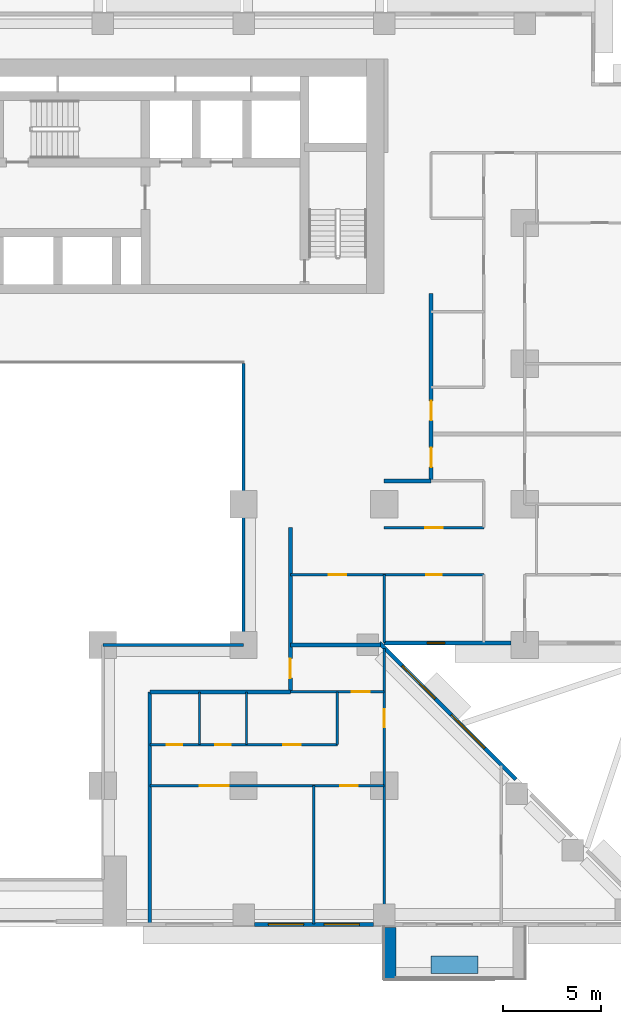
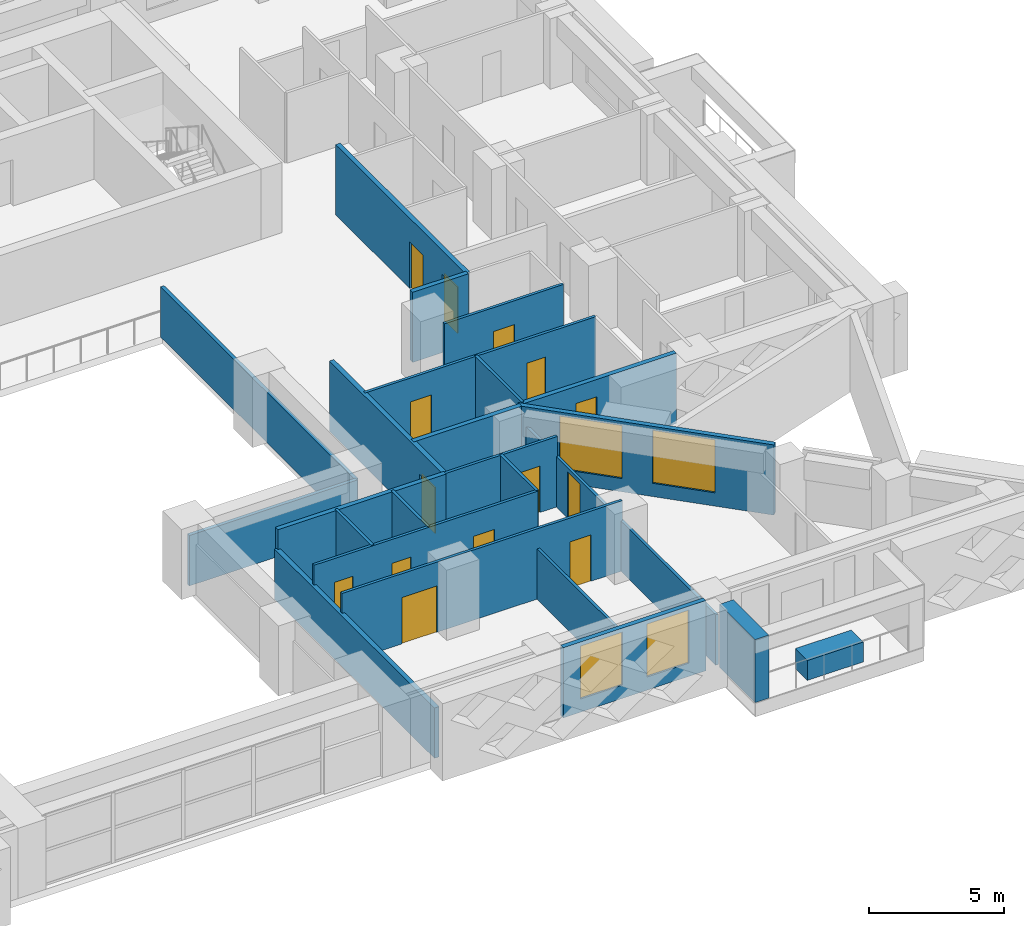
# One storey, part 8 of 17: 24 walls, 13 doors, 5 windows, 18 openings.
"""IFC4 building model written with IfcOpenShell, lengths in metres."""

from ifc_helpers import new_model, si_unit, direction, frame, frame_2d, origin, place, context, subcontext, project, spatial, rectangle, extrude, material, layer, layer_set, type_object, element, fill, save


model = new_model("IFC4")

# Units and contexts
model_context = context("Model", 3, precision=1e-05, world=origin(), true_north=direction((0.0, 1.0)))
body_context = subcontext(model_context, "Body", "Model", "MODEL_VIEW")
ifc_project = project(units=[si_unit("LENGTHUNIT", "METRE"), si_unit("AREAUNIT", "SQUARE_METRE"), si_unit("VOLUMEUNIT", "CUBIC_METRE"), si_unit("PLANEANGLEUNIT", "RADIAN"), si_unit("MASSUNIT", "GRAM", prefix="KILO")], contexts=[model_context])

# Site, building, storey
site_placement = place(None, origin())
site = spatial("IfcSite", under=ifc_project, at=site_placement, CompositionType="ELEMENT")
building_placement = place(site_placement, origin())
building = spatial("IfcBuilding", under=site, at=building_placement, Name="Saffron Iwan Residences", CompositionType="ELEMENT")
storey_placement = place(building_placement, frame((0.0, 0.0, 55.0)))
storey = spatial("IfcBuildingStorey", under=building, at=storey_placement, Name="L13", CompositionType="ELEMENT", Elevation=55.0)

# Walls
ifc_material_1 = material(Name="Fire-rated glazing", Category="glass")
ifc_layer_1 = layer(ifc_material_1, 0.14990234375)
ifc_layer_set_1 = layer_set([ifc_layer_1], Name="Fire-rated glazing")
wall_type_1 = type_object("IfcWallType", Name="Atrium glazed screen 150", PredefinedType="SOLIDWALL", material=ifc_layer_set_1)
wall_1_placement = place(storey_placement, frame((57.60009765625, 48.0, 0.0), z_axis=(0.0, 0.0, 1.0), x_axis=(1.0, 0.0, 0.0)))
element("IfcWall", 1, at=wall_1_placement, inside=storey, type_object=wall_type_1, Name="W-L13-SCREEN-h48-57.6", PredefinedType="SOLIDWALL", context=body_context, shape_type="SweptSolid", body=[
    extrude(rectangle(XDim=7.199951171875, YDim=0.14990234375, at=frame_2d((3.60009765625, 0.0))), origin(), (0.0, 0.0, 1.0), 2.280029296875),
])
wall_2_placement = place(storey_placement, frame((64.800048828125, 48.0, 0.0), z_axis=(0.0, 0.0, 1.0), x_axis=(0.0, 1.0, 0.0)))
element("IfcWall", 2, at=wall_2_placement, inside=storey, type_object=wall_type_1, Name="W-L13-SCREEN-v64.8-48", PredefinedType="SOLIDWALL", context=body_context, shape_type="SweptSolid", body=[
    extrude(rectangle(XDim=14.39990234375, YDim=0.14990234375, at=frame_2d((7.199951171875, 0.0))), origin(), (0.0, 0.0, 1.0), 2.280029296875),
])
ifc_material_2 = material(Name="Concrete C50/60 white painted", Category="concrete")
ifc_layer_2 = layer(ifc_material_2, 0.60009765625)
ifc_layer_set_2 = layer_set([ifc_layer_2], Name="Concrete C50/60 white painted")
wall_type_2 = type_object("IfcWallType", Name="BALCONY FIN 600", PredefinedType="SOLIDWALL", material=ifc_layer_set_2)
wall_3_placement = place(storey_placement, frame((72.300048828125, 33.550048828125, 0.0), z_axis=(0.0, 0.0, 1.0), x_axis=(0.0, -1.0, 0.0)))
element("IfcWall", 3, at=wall_3_placement, inside=storey, type_object=wall_type_2, Name="Balcony fin L13 11-1a", PredefinedType="SOLIDWALL", context=body_context, shape_type="SweptSolid", body=[
    extrude(rectangle(XDim=2.650146484375, YDim=0.60009765625, at=frame_2d((1.3251953125, 0.0))), origin(), (0.0, 0.0, 1.0), 2.85009765625),
])
ifc_material_3 = material(Name="Concrete C35/45 white painted", Category="concrete")
ifc_layer_3 = layer(ifc_material_3, 0.14990234375)
ifc_layer_set_3 = layer_set([ifc_layer_3], Name="Concrete C35/45 white painted")
wall_type_3 = type_object("IfcWallType", Name="BALCONY PLANTER", PredefinedType="SOLIDWALL", material=ifc_layer_set_3)
wall_4_placement = place(storey_placement, frame((74.39990234375, 31.625, 0.0), z_axis=(0.0, 0.0, 1.0), x_axis=(1.0, 0.0, 0.0)))
element("IfcWall", 4, at=wall_4_placement, inside=storey, type_object=wall_type_3, Name="PLANTER L13 11-1", PredefinedType="SOLIDWALL", context=body_context, shape_type="SweptSolid", body=[
    extrude(rectangle(XDim=2.400146484375, YDim=0.89990234375, at=frame_2d((1.2001953125, 0.0))), origin(), (0.0, 0.0, 1.0), 0.89990234375),
])

# Wall, openings, windows
ifc_material_4 = material(Name="Concrete C40/50", Category="concrete")
ifc_layer_4 = layer(ifc_material_4, 0.199951171875)
ifc_layer_set_4 = layer_set([ifc_layer_4], Name="Concrete C40/50")
wall_type_4 = type_object("IfcWallType", Name="EXTERNAL WALL 200", PredefinedType="SOLIDWALL", material=ifc_layer_set_4)
wall_5_placement = place(storey_placement, frame((78.740478515625, 41.1181640625, 0.0), z_axis=(0.0, 0.0, 1.0), x_axis=(-0.707106781187, 0.707106781187, 0.0)))
wall_5 = element("IfcWall", 5, at=wall_5_placement, inside=storey, type_object=wall_type_4, Name="External wall L13 F0.2", PredefinedType="SOLIDWALL", context=body_context, shape_type="SweptSolid", body=[
    extrude(rectangle(XDim=9.8740234375, YDim=0.199951171875, at=frame_2d((4.93701171875, 0.0))), origin(), (0.0, 0.0, 1.0), 3.179931640625),
])
opening_1_placement = place(wall_5_placement, frame((2.263671875, 0.0, 0.60009765625)))
opening_1 = element("IfcOpeningElement", 6, at=opening_1_placement, cuts=wall_5, Name="Opening W1", PredefinedType="OPENING", context=body_context, shape_type="SweptSolid", body=[
    extrude(rectangle(XDim=2.39990234375, YDim=2.39990234375, at=frame_2d((1.199951171875, 1.199951171875))), frame((0.0, 0.10986328125, 0.0), z_axis=(0.0, -1.0, 0.0), x_axis=(1.0, 0.0, 0.0)), (0.0, 0.0, 1.0), 0.219970703125),
])
opening_2_placement = place(wall_5_placement, frame((5.835693359375, 0.0, 0.60009765625)))
opening_2 = element("IfcOpeningElement", 7, at=opening_2_placement, cuts=wall_5, Name="Opening W1", PredefinedType="OPENING", context=body_context, shape_type="SweptSolid", body=[
    extrude(rectangle(XDim=2.39990234375, YDim=2.39990234375, at=frame_2d((1.199951171875, 1.199951171875))), frame((0.0, 0.10986328125, 0.0), z_axis=(0.0, -1.0, 0.0), x_axis=(1.0, 0.0, 0.0)), (0.0, 0.0, 1.0), 0.219970703125),
])
ifc_material_5 = material(Name="Clear glass, laminated double glazed", Category="glass")
window_type_1 = type_object("IfcWindowType", Name="WINDOW 2400 x 2400", PartitioningType="DOUBLE_PANEL_VERTICAL", PredefinedType="WINDOW", material=ifc_material_5)
window_1_placement = place(opening_1_placement, origin())
window_1 = element("IfcWindow", 8, at=window_1_placement, inside=storey, type_object=window_type_1, Name="Window L13 F0.0", OverallHeight=2.39990234375, OverallWidth=2.39990234375, PartitioningType="DOUBLE_PANEL_VERTICAL", PredefinedType="WINDOW", context=body_context, shape_type="SweptSolid", body=[
    extrude(rectangle(XDim=2.39990234375, YDim=2.39990234375, at=frame_2d((1.199951171875, 1.199951171875))), frame((0.0, 0.030029296875, 0.0), z_axis=(0.0, -1.0, 0.0), x_axis=(1.0, 0.0, 0.0)), (0.0, 0.0, 1.0), 0.06005859375),
])
fill(opening_1, window_1)
window_2_placement = place(opening_2_placement, origin())
window_2 = element("IfcWindow", 9, at=window_2_placement, inside=storey, type_object=window_type_1, Name="Window L13 F0.1", OverallHeight=2.39990234375, OverallWidth=2.39990234375, PartitioningType="DOUBLE_PANEL_VERTICAL", PredefinedType="WINDOW", context=body_context, shape_type="SweptSolid", body=[
    extrude(rectangle(XDim=2.39990234375, YDim=2.39990234375, at=frame_2d((1.199951171875, 1.199951171875))), frame((0.0, 0.030029296875, 0.0), z_axis=(0.0, -1.0, 0.0), x_axis=(1.0, 0.0, 0.0)), (0.0, 0.0, 1.0), 0.06005859375),
])
fill(opening_2, window_2)

# Wall, opening, window
wall_6_placement = place(storey_placement, frame((71.988525390625, 48.10009765625, 0.0), z_axis=(0.0, 0.0, 1.0), x_axis=(1.0, 0.0, 0.0)))
wall_6 = element("IfcWall", 10, at=wall_6_placement, inside=storey, type_object=wall_type_4, Name="External wall L13 F1.0", PredefinedType="SOLIDWALL", context=body_context, shape_type="SweptSolid", body=[
    extrude(rectangle(XDim=6.511474609375, YDim=0.199951171875, at=frame_2d((3.255859375, 0.0))), origin(), (0.0, 0.0, 1.0), 3.179931640625),
])
opening_3_placement = place(wall_6_placement, frame((2.205810546875, 0.0, 1.5)))
opening_3 = element("IfcOpeningElement", 11, at=opening_3_placement, cuts=wall_6, Name="Opening W6", PredefinedType="OPENING", context=body_context, shape_type="SweptSolid", body=[
    extrude(rectangle(XDim=0.89990234375, YDim=0.89990234375, at=frame_2d((0.449951171875, 0.449951171875))), frame((0.0, 0.10986328125, 0.0), z_axis=(0.0, -1.0, 0.0), x_axis=(1.0, 0.0, 0.0)), (0.0, 0.0, 1.0), 0.219970703125),
])
window_type_2 = type_object("IfcWindowType", Name="WINDOW 900 x 900 BATH", PartitioningType="SINGLE_PANEL", PredefinedType="WINDOW", material=ifc_material_5)
window_3_placement = place(opening_3_placement, origin())
window_3 = element("IfcWindow", 12, at=window_3_placement, inside=storey, type_object=window_type_2, Name="Window L13 F1.0", OverallHeight=0.89990234375, OverallWidth=0.89990234375, PartitioningType="SINGLE_PANEL", PredefinedType="WINDOW", context=body_context, shape_type="SweptSolid", body=[
    extrude(rectangle(XDim=0.89990234375, YDim=0.89990234375, at=frame_2d((0.449951171875, 0.449951171875))), frame((0.0, 0.030029296875, 0.0), z_axis=(0.0, -1.0, 0.0), x_axis=(1.0, 0.0, 0.0)), (0.0, 0.0, 1.0), 0.06005859375),
])
fill(opening_3, window_3)

# Wall, openings, windows
wall_7_placement = place(storey_placement, frame((65.35009765625, 33.699951171875, 0.0), z_axis=(0.0, 0.0, 1.0), x_axis=(1.0, 0.0, 0.0)))
wall_7 = element("IfcWall", 13, at=wall_7_placement, inside=storey, type_object=wall_type_4, Name="External wall L13 F11.5", PredefinedType="SOLIDWALL", context=body_context, shape_type="SweptSolid", body=[
    extrude(rectangle(XDim=6.099853515625, YDim=0.199951171875, at=frame_2d((3.0498046875, 0.0))), origin(), (0.0, 0.0, 1.0), 3.179931640625),
])
opening_4_placement = place(wall_7_placement, frame((3.574951171875, 0.0, 0.60009765625)))
opening_4 = element("IfcOpeningElement", 14, at=opening_4_placement, cuts=wall_7, Name="Opening W8", PredefinedType="OPENING", context=body_context, shape_type="SweptSolid", body=[
    extrude(rectangle(XDim=1.800048828125, YDim=2.39990234375, at=frame_2d((0.89990234375, 1.199951171875))), frame((0.0, 0.10986328125, 0.0), z_axis=(0.0, -1.0, 0.0), x_axis=(1.0, 0.0, 0.0)), (0.0, 0.0, 1.0), 0.219970703125),
])
opening_5_placement = place(wall_7_placement, frame((0.72509765625, 0.0, 0.60009765625)))
opening_5 = element("IfcOpeningElement", 15, at=opening_5_placement, cuts=wall_7, Name="Opening W8", PredefinedType="OPENING", context=body_context, shape_type="SweptSolid", body=[
    extrude(rectangle(XDim=1.800048828125, YDim=2.39990234375, at=frame_2d((0.89990234375, 1.199951171875))), frame((0.0, 0.10986328125, 0.0), z_axis=(0.0, -1.0, 0.0), x_axis=(1.0, 0.0, 0.0)), (0.0, 0.0, 1.0), 0.219970703125),
])
window_type_3 = type_object("IfcWindowType", Name="WINDOW 1800 x 2400", PartitioningType="DOUBLE_PANEL_VERTICAL", PredefinedType="WINDOW", material=ifc_material_5)
window_4_placement = place(opening_4_placement, origin())
window_4 = element("IfcWindow", 16, at=window_4_placement, inside=storey, type_object=window_type_3, Name="Window L13 F11.0", OverallHeight=2.39990234375, OverallWidth=1.800048828125, PartitioningType="DOUBLE_PANEL_VERTICAL", PredefinedType="WINDOW", context=body_context, shape_type="SweptSolid", body=[
    extrude(rectangle(XDim=1.800048828125, YDim=2.39990234375, at=frame_2d((0.89990234375, 1.199951171875))), frame((0.0, 0.030029296875, 0.0), z_axis=(0.0, -1.0, 0.0), x_axis=(1.0, 0.0, 0.0)), (0.0, 0.0, 1.0), 0.06005859375),
])
fill(opening_4, window_4)
window_5_placement = place(opening_5_placement, origin())
window_5 = element("IfcWindow", 17, at=window_5_placement, inside=storey, type_object=window_type_3, Name="Window L13 F11.1", OverallHeight=2.39990234375, OverallWidth=1.800048828125, PartitioningType="DOUBLE_PANEL_VERTICAL", PredefinedType="WINDOW", context=body_context, shape_type="SweptSolid", body=[
    extrude(rectangle(XDim=1.800048828125, YDim=2.39990234375, at=frame_2d((0.89990234375, 1.199951171875))), frame((0.0, 0.030029296875, 0.0), z_axis=(0.0, -1.0, 0.0), x_axis=(1.0, 0.0, 0.0)), (0.0, 0.0, 1.0), 0.06005859375),
])
fill(opening_5, window_5)

# Wall
ifc_material_6 = material(Name="Fire-rated gypsum board wall")
ifc_layer_5 = layer(ifc_material_6, 0.199951171875)
ifc_layer_set_5 = layer_set([ifc_layer_5], Name="Fire-rated gypsum board wall")
wall_type_5 = type_object("IfcWallType", Name="Flat demising wall 200", PredefinedType="SOLIDWALL", material=ifc_layer_set_5)
wall_8_placement = place(storey_placement, frame((67.199951171875, 48.0, 0.0), z_axis=(0.0, 0.0, 1.0), x_axis=(1.0, 0.0, 0.0)))
element("IfcWall", 18, at=wall_8_placement, inside=storey, type_object=wall_type_5, Name="W-L13-DEMISE-h48-67.2", PredefinedType="SOLIDWALL", context=body_context, shape_type="SweptSolid", body=[
    extrude(rectangle(XDim=4.623046875, YDim=0.199951171875, at=frame_2d((2.3115234375, 0.0))), origin(), (0.0, 0.0, 1.0), 3.179931640625),
])

# Wall, openings, doors
ifc_material_7 = material(Name="Gypsum board partition")
ifc_layer_6 = layer(ifc_material_7, 0.1201171875)
ifc_layer_set_6 = layer_set([ifc_layer_6], Name="Gypsum board partition")
wall_type_6 = type_object("IfcWallType", Name="Flat partition 120", PredefinedType="PARTITIONING", material=ifc_layer_set_6)
wall_9_placement = place(storey_placement, frame((60.0, 40.800048828125, 0.0), z_axis=(0.0, 0.0, 1.0), x_axis=(1.0, 0.0, 0.0)))
wall_9 = element("IfcWall", 19, at=wall_9_placement, inside=storey, type_object=wall_type_6, Name="W-L13-PART-h40.8-60", PredefinedType="PARTITIONING", context=body_context, shape_type="SweptSolid", body=[
    extrude(rectangle(XDim=12.0, YDim=0.1201171875, at=frame_2d((6.0, 0.0))), origin(), (0.0, 0.0, 1.0), 3.179931640625),
])
opening_6_placement = place(wall_9_placement, frame((9.75, 0.0, 0.0)))
opening_6 = element("IfcOpeningElement", 20, at=opening_6_placement, cuts=wall_9, Name="Opening FD2", PredefinedType="OPENING", context=body_context, shape_type="SweptSolid", body=[
    extrude(rectangle(XDim=0.89990234375, YDim=2.10009765625, at=frame_2d((0.449951171875, 1.050048828125))), frame((0.0, 0.070068359375, 0.0), z_axis=(0.0, -1.0, 0.0), x_axis=(1.0, 0.0, 0.0)), (0.0, 0.0, 1.0), 0.14013671875),
])
opening_7_placement = place(wall_9_placement, frame((2.550048828125, 0.0, 0.0)))
opening_7 = element("IfcOpeningElement", 21, at=opening_7_placement, cuts=wall_9, Name="Opening FD4", PredefinedType="OPENING", context=body_context, shape_type="SweptSolid", body=[
    extrude(rectangle(XDim=1.5, YDim=2.10009765625, at=frame_2d((0.75, 1.050048828125))), frame((0.0, 0.070068359375, 0.0), z_axis=(0.0, -1.0, 0.0), x_axis=(1.0, 0.0, 0.0)), (0.0, 0.0, 1.0), 0.14013671875),
])
ifc_material_8 = material(Name="Timber door", Category="wood")
door_type_1 = type_object("IfcDoorType", Name="Double door 1500", OperationType="NOTDEFINED", PredefinedType="DOOR", material=ifc_material_8)
door_1_placement = place(opening_7_placement, origin())
door_1 = element("IfcDoor", 22, at=door_1_placement, inside=storey, type_object=door_type_1, Name="Door L13-047", OperationType="SINGLE_SWING_RIGHT", OverallHeight=2.10009765625, OverallWidth=1.5, PredefinedType="DOOR", context=body_context, shape_type="SweptSolid", body=[
    extrude(rectangle(XDim=1.5, YDim=2.10009765625, at=frame_2d((0.75, 1.050048828125))), frame((0.0, 0.02490234375, 0.0), z_axis=(0.0, -1.0, 0.0), x_axis=(1.0, 0.0, 0.0)), (0.0, 0.0, 1.0), 0.050048828125),
])
fill(opening_7, door_1)
door_type_2 = type_object("IfcDoorType", Name="Flat door 900", OperationType="NOTDEFINED", PredefinedType="DOOR", material=ifc_material_8)
door_2_placement = place(opening_6_placement, origin())
door_2 = element("IfcDoor", 23, at=door_2_placement, inside=storey, type_object=door_type_2, Name="Door L13-046", OperationType="SINGLE_SWING_LEFT", OverallHeight=2.10009765625, OverallWidth=0.89990234375, PredefinedType="DOOR", context=body_context, shape_type="SweptSolid", body=[
    extrude(rectangle(XDim=0.89990234375, YDim=2.10009765625, at=frame_2d((0.449951171875, 1.050048828125))), frame((0.0, 0.02490234375, 0.0), z_axis=(0.0, -1.0, 0.0), x_axis=(1.0, 0.0, 0.0)), (0.0, 0.0, 1.0), 0.050048828125),
])
fill(opening_6, door_2)

wall_10_placement = place(storey_placement, frame((60.0, 42.89990234375, 0.0), z_axis=(0.0, 0.0, 1.0), x_axis=(1.0, 0.0, 0.0)))
wall_10 = element("IfcWall", 24, at=wall_10_placement, inside=storey, type_object=wall_type_6, Name="W-L13-PART-h42.9-60", PredefinedType="PARTITIONING", context=body_context, shape_type="SweptSolid", body=[
    extrude(rectangle(XDim=9.60009765625, YDim=0.1201171875, at=frame_2d((4.800048828125, 0.0))), origin(), (0.0, 0.0, 1.0), 3.179931640625),
])
opening_8_placement = place(wall_10_placement, frame((6.824951171875, 0.0, 0.0)))
opening_8 = element("IfcOpeningElement", 25, at=opening_8_placement, cuts=wall_10, Name="Opening FD2", PredefinedType="OPENING", context=body_context, shape_type="SweptSolid", body=[
    extrude(rectangle(XDim=0.89990234375, YDim=2.10009765625, at=frame_2d((0.449951171875, 1.050048828125))), frame((0.0, 0.070068359375, 0.0), z_axis=(0.0, -1.0, 0.0), x_axis=(1.0, 0.0, 0.0)), (0.0, 0.0, 1.0), 0.14013671875),
])
opening_9_placement = place(wall_10_placement, frame((3.35009765625, 0.0, 0.0)))
opening_9 = element("IfcOpeningElement", 26, at=opening_9_placement, cuts=wall_10, Name="Opening FD3", PredefinedType="OPENING", context=body_context, shape_type="SweptSolid", body=[
    extrude(rectangle(XDim=0.800048828125, YDim=2.10009765625, at=frame_2d((0.39990234375, 1.050048828125))), frame((0.0, 0.070068359375, 0.0), z_axis=(0.0, -1.0, 0.0), x_axis=(1.0, 0.0, 0.0)), (0.0, 0.0, 1.0), 0.14013671875),
])
opening_10_placement = place(wall_10_placement, frame((0.875, 0.0, 0.0)))
opening_10 = element("IfcOpeningElement", 27, at=opening_10_placement, cuts=wall_10, Name="Opening FD3", PredefinedType="OPENING", context=body_context, shape_type="SweptSolid", body=[
    extrude(rectangle(XDim=0.800048828125, YDim=2.10009765625, at=frame_2d((0.39990234375, 1.050048828125))), frame((0.0, 0.070068359375, 0.0), z_axis=(0.0, -1.0, 0.0), x_axis=(1.0, 0.0, 0.0)), (0.0, 0.0, 1.0), 0.14013671875),
])
door_type_3 = type_object("IfcDoorType", Name="Bathroom door 800", OperationType="NOTDEFINED", PredefinedType="DOOR", material=ifc_material_8)
door_3_placement = place(opening_9_placement, origin())
door_3 = element("IfcDoor", 28, at=door_3_placement, inside=storey, type_object=door_type_3, Name="Door L13-049", OperationType="SINGLE_SWING_LEFT", OverallHeight=2.10009765625, OverallWidth=0.800048828125, PredefinedType="DOOR", context=body_context, shape_type="SweptSolid", body=[
    extrude(rectangle(XDim=0.800048828125, YDim=2.10009765625, at=frame_2d((0.39990234375, 1.050048828125))), frame((0.0, 0.02490234375, 0.0), z_axis=(0.0, -1.0, 0.0), x_axis=(1.0, 0.0, 0.0)), (0.0, 0.0, 1.0), 0.050048828125),
])
fill(opening_9, door_3)
door_4_placement = place(opening_10_placement, origin())
door_4 = element("IfcDoor", 29, at=door_4_placement, inside=storey, type_object=door_type_3, Name="Door L13-050", OperationType="SINGLE_SWING_LEFT", OverallHeight=2.10009765625, OverallWidth=0.800048828125, PredefinedType="DOOR", context=body_context, shape_type="SweptSolid", body=[
    extrude(rectangle(XDim=0.800048828125, YDim=2.10009765625, at=frame_2d((0.39990234375, 1.050048828125))), frame((0.0, 0.02490234375, 0.0), z_axis=(0.0, -1.0, 0.0), x_axis=(1.0, 0.0, 0.0)), (0.0, 0.0, 1.0), 0.050048828125),
])
fill(opening_10, door_4)
door_5_placement = place(opening_8_placement, origin())
door_5 = element("IfcDoor", 30, at=door_5_placement, inside=storey, type_object=door_type_2, Name="Door L13-048", OperationType="SINGLE_SWING_RIGHT", OverallHeight=2.10009765625, OverallWidth=0.89990234375, PredefinedType="DOOR", context=body_context, shape_type="SweptSolid", body=[
    extrude(rectangle(XDim=0.89990234375, YDim=2.10009765625, at=frame_2d((0.449951171875, 1.050048828125))), frame((0.0, 0.02490234375, 0.0), z_axis=(0.0, -1.0, 0.0), x_axis=(1.0, 0.0, 0.0)), (0.0, 0.0, 1.0), 0.050048828125),
])
fill(opening_8, door_5)

# Wall, opening, door
wall_11_placement = place(storey_placement, frame((67.199951171875, 45.60009765625, 0.0), z_axis=(0.0, 0.0, 1.0), x_axis=(1.0, 0.0, 0.0)))
wall_11 = element("IfcWall", 31, at=wall_11_placement, inside=storey, type_object=wall_type_6, Name="W-L13-PART-h45.6-67.2", PredefinedType="PARTITIONING", context=body_context, shape_type="SweptSolid", body=[
    extrude(rectangle(XDim=4.800048828125, YDim=0.1201171875, at=frame_2d((2.39990234375, 0.0))), origin(), (0.0, 0.0, 1.0), 3.179931640625),
])
opening_11_placement = place(wall_11_placement, frame((3.14990234375, 0.0, 0.0)))
opening_11 = element("IfcOpeningElement", 32, at=opening_11_placement, cuts=wall_11, Name="Opening FD2", PredefinedType="OPENING", context=body_context, shape_type="SweptSolid", body=[
    extrude(rectangle(XDim=0.89990234375, YDim=2.10009765625, at=frame_2d((0.449951171875, 1.050048828125))), frame((0.0, 0.070068359375, 0.0), z_axis=(0.0, -1.0, 0.0), x_axis=(1.0, 0.0, 0.0)), (0.0, 0.0, 1.0), 0.14013671875),
])
door_6_placement = place(opening_11_placement, origin())
door_6 = element("IfcDoor", 33, at=door_6_placement, inside=storey, type_object=door_type_2, Name="Door L13-044", OperationType="SINGLE_SWING_LEFT", OverallHeight=2.10009765625, OverallWidth=0.89990234375, PredefinedType="DOOR", context=body_context, shape_type="SweptSolid", body=[
    extrude(rectangle(XDim=0.89990234375, YDim=2.10009765625, at=frame_2d((0.449951171875, 1.050048828125))), frame((0.0, 0.02490234375, 0.0), z_axis=(0.0, -1.0, 0.0), x_axis=(1.0, 0.0, 0.0)), (0.0, 0.0, 1.0), 0.050048828125),
])
fill(opening_11, door_6)

# Wall, openings, doors
wall_12_placement = place(storey_placement, frame((67.199951171875, 51.60009765625, 0.0), z_axis=(0.0, 0.0, 1.0), x_axis=(1.0, 0.0, 0.0)))
wall_12 = element("IfcWall", 34, at=wall_12_placement, inside=storey, type_object=wall_type_6, Name="W-L13-PART-h51.6-67.2", PredefinedType="PARTITIONING", context=body_context, shape_type="SweptSolid", body=[
    extrude(rectangle(XDim=9.900146484375, YDim=0.1201171875, at=frame_2d((4.9501953125, 0.0))), origin(), (0.0, 0.0, 1.0), 3.179931640625),
])
opening_12_placement = place(wall_12_placement, frame((6.949951171875, 0.0, 0.0)))
opening_12 = element("IfcOpeningElement", 35, at=opening_12_placement, cuts=wall_12, Name="Opening FD3", PredefinedType="OPENING", context=body_context, shape_type="SweptSolid", body=[
    extrude(rectangle(XDim=0.800048828125, YDim=2.10009765625, at=frame_2d((0.39990234375, 1.050048828125))), frame((0.0, 0.070068359375, 0.0), z_axis=(0.0, -1.0, 0.0), x_axis=(1.0, 0.0, 0.0)), (0.0, 0.0, 1.0), 0.14013671875),
])
opening_13_placement = place(wall_12_placement, frame((1.949951171875, 0.0, 0.0)))
opening_13 = element("IfcOpeningElement", 36, at=opening_13_placement, cuts=wall_12, Name="Opening FD2", PredefinedType="OPENING", context=body_context, shape_type="SweptSolid", body=[
    extrude(rectangle(XDim=0.89990234375, YDim=2.10009765625, at=frame_2d((0.449951171875, 1.050048828125))), frame((0.0, 0.070068359375, 0.0), z_axis=(0.0, -1.0, 0.0), x_axis=(1.0, 0.0, 0.0)), (0.0, 0.0, 1.0), 0.14013671875),
])
door_7_placement = place(opening_12_placement, origin())
door_7 = element("IfcDoor", 37, at=door_7_placement, inside=storey, type_object=door_type_3, Name="Door L13-025", OperationType="SINGLE_SWING_LEFT", OverallHeight=2.10009765625, OverallWidth=0.800048828125, PredefinedType="DOOR", context=body_context, shape_type="SweptSolid", body=[
    extrude(rectangle(XDim=0.800048828125, YDim=2.10009765625, at=frame_2d((0.39990234375, 1.050048828125))), frame((0.0, 0.02490234375, 0.0), z_axis=(0.0, -1.0, 0.0), x_axis=(1.0, 0.0, 0.0)), (0.0, 0.0, 1.0), 0.050048828125),
])
fill(opening_12, door_7)
door_8_placement = place(opening_13_placement, origin())
door_8 = element("IfcDoor", 38, at=door_8_placement, inside=storey, type_object=door_type_2, Name="Door L13-027", OperationType="SINGLE_SWING_RIGHT", OverallHeight=2.10009765625, OverallWidth=0.89990234375, PredefinedType="DOOR", context=body_context, shape_type="SweptSolid", body=[
    extrude(rectangle(XDim=0.89990234375, YDim=2.10009765625, at=frame_2d((0.449951171875, 1.050048828125))), frame((0.0, 0.02490234375, 0.0), z_axis=(0.0, -1.0, 0.0), x_axis=(1.0, 0.0, 0.0)), (0.0, 0.0, 1.0), 0.050048828125),
])
fill(opening_13, door_8)

# Wall, opening, door
wall_13_placement = place(storey_placement, frame((72.0, 54.0, 0.0), z_axis=(0.0, 0.0, 1.0), x_axis=(1.0, 0.0, 0.0)))
wall_13 = element("IfcWall", 39, at=wall_13_placement, inside=storey, type_object=wall_type_6, Name="W-L13-PART-h54-72", PredefinedType="PARTITIONING", context=body_context, shape_type="SweptSolid", body=[
    extrude(rectangle(XDim=5.10009765625, YDim=0.1201171875, at=frame_2d((2.550048828125, 0.0))), origin(), (0.0, 0.0, 1.0), 3.179931640625),
])
opening_14_placement = place(wall_13_placement, frame((2.10009765625, 0.0, 0.0)))
opening_14 = element("IfcOpeningElement", 40, at=opening_14_placement, cuts=wall_13, Name="Opening FD2", PredefinedType="OPENING", context=body_context, shape_type="SweptSolid", body=[
    extrude(rectangle(XDim=0.89990234375, YDim=2.10009765625, at=frame_2d((0.449951171875, 1.050048828125))), frame((0.0, 0.070068359375, 0.0), z_axis=(0.0, -1.0, 0.0), x_axis=(1.0, 0.0, 0.0)), (0.0, 0.0, 1.0), 0.14013671875),
])
door_9_placement = place(opening_14_placement, origin())
door_9 = element("IfcDoor", 41, at=door_9_placement, inside=storey, type_object=door_type_2, Name="Door L13-026", OperationType="SINGLE_SWING_LEFT", OverallHeight=2.10009765625, OverallWidth=0.89990234375, PredefinedType="DOOR", context=body_context, shape_type="SweptSolid", body=[
    extrude(rectangle(XDim=0.89990234375, YDim=2.10009765625, at=frame_2d((0.449951171875, 1.050048828125))), frame((0.0, 0.02490234375, 0.0), z_axis=(0.0, -1.0, 0.0), x_axis=(1.0, 0.0, 0.0)), (0.0, 0.0, 1.0), 0.050048828125),
])
fill(opening_14, door_9)

# Walls
for number, where, z_axis, x_axis, name in (
    (42, (62.550048828125, 42.89990234375, 0.0), (0.0, 0.0, 1.0), (0.0, 1.0, 0.0), "W-L13-PART-v62.55-42.9"),
    (43, (64.949951171875, 42.89990234375, 0.0), (0.0, 0.0, 1.0), (0.0, 1.0, 0.0), "W-L13-PART-v64.95-42.9"),
):
    element("IfcWall", number, at=place(storey_placement, frame(where, z_axis=z_axis, x_axis=x_axis)), inside=storey, type_object=wall_type_6, Name=name, PredefinedType="PARTITIONING", context=body_context, shape_type="SweptSolid", body=[
        extrude(rectangle(XDim=2.7001953125, YDim=0.1201171875, at=frame_2d((1.35009765625, 0.0))), origin(), (0.0, 0.0, 1.0), 3.179931640625),
    ])
wall_14_placement = place(storey_placement, frame((68.39990234375, 33.72509765625, 0.0), z_axis=(0.0, 0.0, 1.0), x_axis=(0.0, 1.0, 0.0)))
element("IfcWall", 44, at=wall_14_placement, inside=storey, type_object=wall_type_6, Name="W-L13-PART-v68.4-33.725", PredefinedType="PARTITIONING", context=body_context, shape_type="SweptSolid", body=[
    extrude(rectangle(XDim=7.074951171875, YDim=0.1201171875, at=frame_2d((3.53759765625, 0.0))), origin(), (0.0, 0.0, 1.0), 2.280029296875),
])
wall_15_placement = place(storey_placement, frame((69.60009765625, 42.89990234375, 0.0), z_axis=(0.0, 0.0, 1.0), x_axis=(0.0, 1.0, 0.0)))
element("IfcWall", 45, at=wall_15_placement, inside=storey, type_object=wall_type_6, Name="W-L13-PART-v69.6-42.9", PredefinedType="PARTITIONING", context=body_context, shape_type="SweptSolid", body=[
    extrude(rectangle(XDim=2.7001953125, YDim=0.1201171875, at=frame_2d((1.35009765625, 0.0))), origin(), (0.0, 0.0, 1.0), 3.179931640625),
])

# Wall, opening, door
wall_16_placement = place(storey_placement, frame((72.0, 33.72509765625, 0.0), z_axis=(0.0, 0.0, 1.0), x_axis=(0.0, 1.0, 0.0)))
wall_16 = element("IfcWall", 46, at=wall_16_placement, inside=storey, type_object=wall_type_6, Name="W-L13-PART-v72-33.725", PredefinedType="PARTITIONING", context=body_context, shape_type="SweptSolid", body=[
    extrude(rectangle(XDim=14.097900390625, YDim=0.1201171875, at=frame_2d((7.048828125, 0.0))), origin(), (0.0, 0.0, 1.0), 2.280029296875),
])
opening_15_placement = place(wall_16_placement, frame((10.074951171875, 0.0, 0.0)))
opening_15 = element("IfcOpeningElement", 47, at=opening_15_placement, cuts=wall_16, Name="Opening FD2", PredefinedType="OPENING", context=body_context, shape_type="SweptSolid", body=[
    extrude(rectangle(XDim=0.89990234375, YDim=2.10009765625, at=frame_2d((0.449951171875, 1.050048828125))), frame((0.0, 0.070068359375, 0.0), z_axis=(0.0, -1.0, 0.0), x_axis=(1.0, 0.0, 0.0)), (0.0, 0.0, 1.0), 0.14013671875),
])
door_10_placement = place(opening_15_placement, origin())
door_10 = element("IfcDoor", 48, at=door_10_placement, inside=storey, type_object=door_type_2, Name="Door L13-051", OperationType="SINGLE_SWING_RIGHT", OverallHeight=2.10009765625, OverallWidth=0.89990234375, PredefinedType="DOOR", context=body_context, shape_type="SweptSolid", body=[
    extrude(rectangle(XDim=0.89990234375, YDim=2.10009765625, at=frame_2d((0.449951171875, 1.050048828125))), frame((0.0, 0.02490234375, 0.0), z_axis=(0.0, -1.0, 0.0), x_axis=(1.0, 0.0, 0.0)), (0.0, 0.0, 1.0), 0.050048828125),
])
fill(opening_15, door_10)

# Walls
wall_17_placement = place(storey_placement, frame((72.0, 48.125, 0.0), z_axis=(0.0, 0.0, 1.0), x_axis=(0.0, 1.0, 0.0)))
element("IfcWall", 49, at=wall_17_placement, inside=storey, type_object=wall_type_6, Name="W-L13-PART-v72-48.125", PredefinedType="PARTITIONING", context=body_context, shape_type="SweptSolid", body=[
    extrude(rectangle(XDim=3.47509765625, YDim=0.1201171875, at=frame_2d((1.737548828125, 0.0))), origin(), (0.0, 0.0, 1.0), 3.179931640625),
])
ifc_layer_7 = layer(ifc_material_6, 0.199951171875)
ifc_layer_set_7 = layer_set([ifc_layer_7], Name="Fire-rated gypsum board wall")
wall_type_7 = type_object("IfcWallType", Name="Gallery wall 200", PredefinedType="SOLIDWALL", material=ifc_layer_set_7)
wall_18_placement = place(storey_placement, frame((60.0, 45.60009765625, 0.0), z_axis=(0.0, 0.0, 1.0), x_axis=(1.0, 0.0, 0.0)))
element("IfcWall", 50, at=wall_18_placement, inside=storey, type_object=wall_type_7, Name="W-L13-CORR-h45.6-60", PredefinedType="SOLIDWALL", context=body_context, shape_type="SweptSolid", body=[
    extrude(rectangle(XDim=7.199951171875, YDim=0.199951171875, at=frame_2d((3.60009765625, 0.0))), origin(), (0.0, 0.0, 1.0), 3.179931640625),
])
wall_19_placement = place(storey_placement, frame((72.0, 56.39990234375, 0.0), z_axis=(0.0, 0.0, 1.0), x_axis=(1.0, 0.0, 0.0)))
element("IfcWall", 51, at=wall_19_placement, inside=storey, type_object=wall_type_7, Name="W-L13-CORR-h56.4-72", PredefinedType="SOLIDWALL", context=body_context, shape_type="SweptSolid", body=[
    extrude(rectangle(XDim=2.39990234375, YDim=0.199951171875, at=frame_2d((1.199951171875, 0.0))), origin(), (0.0, 0.0, 1.0), 3.179931640625),
])
wall_20_placement = place(storey_placement, frame((60.0, 33.72509765625, 0.0), z_axis=(0.0, 0.0, 1.0), x_axis=(0.0, 1.0, 0.0)))
element("IfcWall", 52, at=wall_20_placement, inside=storey, type_object=wall_type_7, Name="W-L13-CORR-v60-33.725", PredefinedType="SOLIDWALL", context=body_context, shape_type="SweptSolid", body=[
    extrude(rectangle(XDim=11.875, YDim=0.199951171875, at=frame_2d((5.9375, 0.0))), origin(), (0.0, 0.0, 1.0), 2.280029296875),
])

# Wall, opening, door
wall_21_placement = place(storey_placement, frame((67.199951171875, 45.60009765625, 0.0), z_axis=(0.0, 0.0, 1.0), x_axis=(0.0, 1.0, 0.0)))
wall_21 = element("IfcWall", 53, at=wall_21_placement, inside=storey, type_object=wall_type_7, Name="W-L13-CORR-v67.2-45.6", PredefinedType="SOLIDWALL", context=body_context, shape_type="SweptSolid", body=[
    extrude(rectangle(XDim=8.39990234375, YDim=0.199951171875, at=frame_2d((4.199951171875, 0.0))), origin(), (0.0, 0.0, 1.0), 3.179931640625),
])
opening_16_placement = place(wall_21_placement, frame((0.699951171875, 0.0, 0.0)))
opening_16 = element("IfcOpeningElement", 54, at=opening_16_placement, cuts=wall_21, Name="Opening FD5", PredefinedType="OPENING", context=body_context, shape_type="SweptSolid", body=[
    extrude(rectangle(XDim=1.0, YDim=2.10009765625, at=frame_2d((0.5, 1.050048828125))), frame((0.0, 0.10986328125, 0.0), z_axis=(0.0, -1.0, 0.0), x_axis=(1.0, 0.0, 0.0)), (0.0, 0.0, 1.0), 0.219970703125),
])
ifc_material_9 = material(Name="Fire-rated timber door", Category="wood")
door_type_4 = type_object("IfcDoorType", Name="Lobby door 1000", OperationType="NOTDEFINED", PredefinedType="DOOR", material=ifc_material_9)
door_11_placement = place(opening_16_placement, origin())
door_11 = element("IfcDoor", 55, at=door_11_placement, inside=storey, type_object=door_type_4, Name="Door L13-045", OperationType="SINGLE_SWING_RIGHT", OverallHeight=2.10009765625, OverallWidth=1.0, PredefinedType="DOOR", context=body_context, shape_type="SweptSolid", body=[
    extrude(rectangle(XDim=1.0, YDim=2.10009765625, at=frame_2d((0.5, 1.050048828125))), frame((0.0, 0.02490234375, 0.0), z_axis=(0.0, -1.0, 0.0), x_axis=(1.0, 0.0, 0.0)), (0.0, 0.0, 1.0), 0.050048828125),
])
fill(opening_16, door_11)

# Wall, openings, doors
wall_22_placement = place(storey_placement, frame((74.39990234375, 56.39990234375, 0.0), z_axis=(0.0, 0.0, 1.0), x_axis=(0.0, 1.0, 0.0)))
wall_22 = element("IfcWall", 56, at=wall_22_placement, inside=storey, type_object=wall_type_7, Name="W-L13-CORR-v74.4-56.4", PredefinedType="SOLIDWALL", context=body_context, shape_type="SweptSolid", body=[
    extrude(rectangle(XDim=9.60009765625, YDim=0.199951171875, at=frame_2d((4.800048828125, 0.0))), origin(), (0.0, 0.0, 1.0), 3.179931640625),
])
opening_17_placement = place(wall_22_placement, frame((0.699951171875, 0.0, 0.0)))
opening_17 = element("IfcOpeningElement", 57, at=opening_17_placement, cuts=wall_22, Name="Opening FD1", PredefinedType="OPENING", context=body_context, shape_type="SweptSolid", body=[
    extrude(rectangle(XDim=1.0, YDim=2.10009765625, at=frame_2d((0.5, 1.050048828125))), frame((0.0, 0.10986328125, 0.0), z_axis=(0.0, -1.0, 0.0), x_axis=(1.0, 0.0, 0.0)), (0.0, 0.0, 1.0), 0.219970703125),
])
opening_18_placement = place(wall_22_placement, frame((3.10009765625, 0.0, 0.0)))
opening_18 = element("IfcOpeningElement", 58, at=opening_18_placement, cuts=wall_22, Name="Opening FD1", PredefinedType="OPENING", context=body_context, shape_type="SweptSolid", body=[
    extrude(rectangle(XDim=1.0, YDim=2.10009765625, at=frame_2d((0.5, 1.050048828125))), frame((0.0, 0.10986328125, 0.0), z_axis=(0.0, -1.0, 0.0), x_axis=(1.0, 0.0, 0.0)), (0.0, 0.0, 1.0), 0.219970703125),
])
door_type_5 = type_object("IfcDoorType", Name="FD30S flat entrance door 1000", OperationType="NOTDEFINED", PredefinedType="DOOR", material=ifc_material_9)
door_12_placement = place(opening_17_placement, origin())
door_12 = element("IfcDoor", 59, at=door_12_placement, inside=storey, type_object=door_type_5, Name="Door L13-021", OperationType="SINGLE_SWING_RIGHT", OverallHeight=2.10009765625, OverallWidth=1.0, PredefinedType="DOOR", context=body_context, shape_type="SweptSolid", body=[
    extrude(rectangle(XDim=1.0, YDim=2.10009765625, at=frame_2d((0.5, 1.050048828125))), frame((0.0, 0.02490234375, 0.0), z_axis=(0.0, -1.0, 0.0), x_axis=(1.0, 0.0, 0.0)), (0.0, 0.0, 1.0), 0.050048828125),
])
fill(opening_17, door_12)
door_13_placement = place(opening_18_placement, origin())
door_13 = element("IfcDoor", 60, at=door_13_placement, inside=storey, type_object=door_type_5, Name="Door L13-036", OperationType="SINGLE_SWING_RIGHT", OverallHeight=2.10009765625, OverallWidth=1.0, PredefinedType="DOOR", context=body_context, shape_type="SweptSolid", body=[
    extrude(rectangle(XDim=1.0, YDim=2.10009765625, at=frame_2d((0.5, 1.050048828125))), frame((0.0, 0.02490234375, 0.0), z_axis=(0.0, -1.0, 0.0), x_axis=(1.0, 0.0, 0.0)), (0.0, 0.0, 1.0), 0.050048828125),
])
fill(opening_18, door_13)

save(model, "model.ifc")
